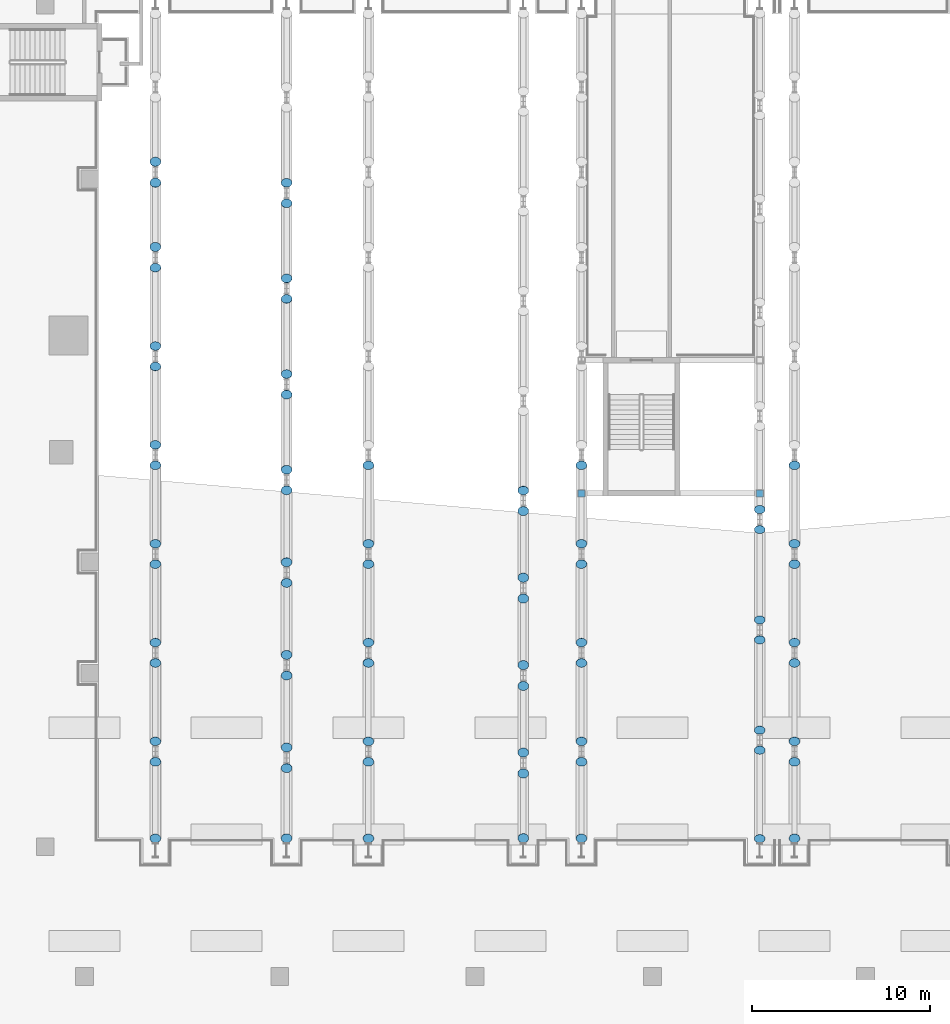
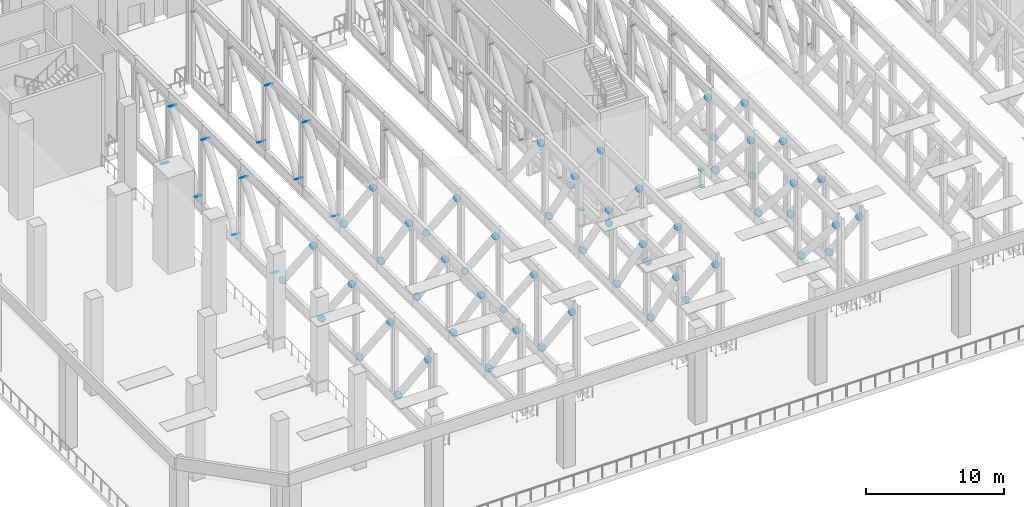
# One storey, part 17 of 33: 74 discrete accessories.
"""IFC4 building model written with IfcOpenShell, lengths in metres."""

from ifc_helpers import new_model, si_unit, direction, frame, origin, origin_2d, place, context, subcontext, project, spatial, rectangle, circle, extrude, material, material_profile, profile_set, type_object, element, save


model = new_model("IFC4")

# Units and contexts
model_context = context("Model", 3, precision=1e-05, world=origin(), true_north=direction((0.0, 1.0)))
body_context = subcontext(model_context, "Body", "Model", "MODEL_VIEW")
ifc_project = project(units=[si_unit("LENGTHUNIT", "METRE"), si_unit("AREAUNIT", "SQUARE_METRE"), si_unit("VOLUMEUNIT", "CUBIC_METRE"), si_unit("PLANEANGLEUNIT", "RADIAN"), si_unit("MASSUNIT", "GRAM", prefix="KILO")], contexts=[model_context])

# Site, building, storey
site_placement = place(None, origin())
site = spatial("IfcSite", under=ifc_project, at=site_placement, CompositionType="ELEMENT")
building_placement = place(site_placement, origin())
building = spatial("IfcBuilding", under=site, at=building_placement, Name="Wharfspan Tower", CompositionType="ELEMENT")
storey_placement = place(building_placement, frame((0.0, 0.0, 33.0)))
storey = spatial("IfcBuildingStorey", under=building, at=storey_placement, Name="L05", CompositionType="ELEMENT", Elevation=33.0)

# Discrete accessories
ifc_material = material(Name="Steel S460NH", Category="steel")
ifc_material_profile_1 = material_profile(ifc_material, circle(Radius=0.304932, at=origin_2d()))
ifc_profile_set_1 = profile_set([ifc_material_profile_1], Name="Steel S460NH")
discrete_accessory_type_1 = type_object("IfcDiscreteAccessoryType", Name="End plate CHS 610x30", PredefinedType="BRACKET", material=ifc_profile_set_1)
for number, where, z_axis, x_axis, name in (
    (1, (12.0, -21.229248, 6.92334), (0.0, 0.588172, -0.808736), (-1.0, 0.0, 0.0), "End plate CHS 610x30"),
    (2, (12.0, -16.912598, 1.184814), (0.0, 0.588172, -0.808736), (-1.0, 0.0, 0.0), "End plate CHS 610x30"),
    (3, (12.0, -15.76123, 6.92041), (0.0, 0.615644, -0.788024), (-1.0, 0.0, 0.0), "End plate CHS 610x30"),
    (4, (12.0, -11.344727, 1.1875), (0.0, 0.603858, -0.797092), (-1.0, 0.0, 0.0), "End plate CHS 610x30"),
    (5, (12.0, -10.195312, 6.92041), (0.0, 0.615644, -0.788024), (-1.0, 0.0, 0.0), "End plate CHS 610x30"),
    (6, (12.0, -5.777832, 1.1875), (0.0, 0.603858, -0.797092), (-1.0, 0.0, 0.0), "End plate CHS 610x30"),
    (7, (12.0, -4.628418, 6.92041), (0.0, 0.615644, -0.788024), (-1.0, 0.0, 0.0), "End plate CHS 610x30"),
    (8, (12.0, -0.210693, 1.1875), (0.0, 0.603858, -0.797092), (-1.0, 0.0, 0.0), "End plate CHS 610x30"),
    (9, (12.0, 5.361328, 6.92041), (0.0, -0.615644, -0.788024), (1.0, 0.0, 0.0), "End plate CHS 610x30"),
    (10, (12.0, 0.944824, 1.1875), (0.0, -0.603858, -0.797092), (1.0, 0.0, 0.0), "End plate CHS 610x30"),
    (11, (12.0, 10.928223, 6.92041), (0.0, -0.615644, -0.788024), (1.0, 0.0, 0.0), "End plate CHS 610x30"),
    (12, (12.0, 6.510742, 1.1875), (0.0, -0.603858, -0.797092), (1.0, 0.0, 0.0), "End plate CHS 610x30"),
    (13, (12.0, 15.712891, 6.944336), (0.0, -0.532172, -0.846637), (1.0, 0.0, 0.0), "End plate CHS 610x30"),
    (14, (12.0, 12.092529, 1.164307), (0.0, -0.532172, -0.846637), (1.0, 0.0, 0.0), "End plate CHS 610x30"),
    (15, (12.0, 16.892578, 1.164307), (0.0, -0.532172, -0.846637), (1.0, 0.0, 0.0), "End plate CHS 610x30"),
    (16, (19.391113, -21.222168, 6.933838), (0.0, 0.560309, -0.828283), (-1.0, 0.0, 0.0), "End plate CHS 610x30"),
):
    element("IfcDiscreteAccessory", number, at=place(storey_placement, frame(where, z_axis=z_axis, x_axis=x_axis)), inside=storey, type_object=discrete_accessory_type_1, Name=name, PredefinedType="BRACKET", context=body_context, shape_type="SweptSolid", body=[
        extrude(circle(Radius=0.304932, at=origin_2d()), origin(), (0.0, 0.0, 1.0), 0.01001),
    ])
discrete_accessory_1_placement = place(storey_placement, frame((19.391113, -17.269287, 1.174316), z_axis=(0.0, 0.571793, -0.820398), x_axis=(-1.0, 0.0, 0.0)))
element("IfcDiscreteAccessory", 17, at=discrete_accessory_1_placement, inside=storey, type_object=discrete_accessory_type_1, Name="End plate CHS 610x30", PredefinedType="BRACKET", context=body_context, shape_type="SweptSolid", body=[
    extrude(circle(Radius=0.304932, at=origin_2d()), origin(), (0.0, 0.0, 1.0), 0.009766),
])
discrete_accessory_2_placement = place(storey_placement, frame((19.391113, -16.104248, 6.930908), z_axis=(0.0, 0.576683, -0.816968), x_axis=(-1.0, 0.0, 0.0)))
element("IfcDiscreteAccessory", 18, at=discrete_accessory_2_placement, inside=storey, type_object=discrete_accessory_type_1, Name="End plate CHS 610x30", PredefinedType="BRACKET", context=body_context, shape_type="SweptSolid", body=[
    extrude(circle(Radius=0.304932, at=origin_2d()), origin(), (0.0, 0.0, 1.0), 0.010254),
])
for number, where, z_axis, x_axis, name in (
    (19, (19.391113, -12.051514, 1.177246), (0.0, 0.588172, -0.808736), (-1.0, 0.0, 0.0), "End plate CHS 610x30"),
    (20, (19.391113, -10.888184, 6.930908), (0.0, 0.560309, -0.828283), (-1.0, 0.0, 0.0), "End plate CHS 610x30"),
):
    element("IfcDiscreteAccessory", number, at=place(storey_placement, frame(where, z_axis=z_axis, x_axis=x_axis)), inside=storey, type_object=discrete_accessory_type_1, Name=name, PredefinedType="BRACKET", context=body_context, shape_type="SweptSolid", body=[
        extrude(circle(Radius=0.304932, at=origin_2d()), origin(), (0.0, 0.0, 1.0), 0.01001),
    ])
discrete_accessory_3_placement = place(storey_placement, frame((19.391113, -6.834473, 1.177246), z_axis=(0.0, 0.571793, -0.820398), x_axis=(-1.0, 0.0, 0.0)))
element("IfcDiscreteAccessory", 21, at=discrete_accessory_3_placement, inside=storey, type_object=discrete_accessory_type_1, Name="End plate CHS 610x30", PredefinedType="BRACKET", context=body_context, shape_type="SweptSolid", body=[
    extrude(circle(Radius=0.304932, at=origin_2d()), origin(), (0.0, 0.0, 1.0), 0.009766),
])
discrete_accessory_4_placement = place(storey_placement, frame((19.391113, -5.671143, 6.930908), z_axis=(0.0, 0.560309, -0.828283), x_axis=(-1.0, 0.0, 0.0)))
element("IfcDiscreteAccessory", 22, at=discrete_accessory_4_placement, inside=storey, type_object=discrete_accessory_type_1, Name="End plate CHS 610x30", PredefinedType="BRACKET", context=body_context, shape_type="SweptSolid", body=[
    extrude(circle(Radius=0.304932, at=origin_2d()), origin(), (0.0, 0.0, 1.0), 0.01001),
])
discrete_accessory_5_placement = place(storey_placement, frame((19.391113, -1.618408, 1.177246), z_axis=(0.0, 0.571793, -0.820398), x_axis=(-1.0, 0.0, 0.0)))
element("IfcDiscreteAccessory", 23, at=discrete_accessory_5_placement, inside=storey, type_object=discrete_accessory_type_1, Name="End plate CHS 610x30", PredefinedType="BRACKET", context=body_context, shape_type="SweptSolid", body=[
    extrude(circle(Radius=0.304932, at=origin_2d()), origin(), (0.0, 0.0, 1.0), 0.009766),
])
for number, where, z_axis, x_axis, name in (
    (24, (19.391113, -0.45874, 6.925781), (0.0, 0.588172, -0.808736), (-1.0, 0.0, 0.0), "End plate CHS 610x30"),
    (25, (19.391113, 3.771729, 1.182373), (0.0, 0.588172, -0.808736), (-1.0, 0.0, 0.0), "End plate CHS 610x30"),
    (26, (19.391113, 9.164795, 6.925781), (0.0, -0.603858, -0.797092), (1.0, 0.0, 0.0), "End plate CHS 610x30"),
    (27, (19.391113, 4.934326, 1.182373), (0.0, -0.603858, -0.797092), (1.0, 0.0, 0.0), "End plate CHS 610x30"),
    (28, (19.391113, 14.550781, 6.925781), (0.0, -0.603858, -0.797092), (1.0, 0.0, 0.0), "End plate CHS 610x30"),
    (29, (19.391113, 10.321289, 1.182373), (0.0, -0.588172, -0.808736), (1.0, 0.0, 0.0), "End plate CHS 610x30"),
    (30, (19.391113, 15.707275, 1.182373), (0.0, -0.588172, -0.808736), (1.0, 0.0, 0.0), "End plate CHS 610x30"),
    (31, (24.0, -21.229248, 6.92334), (0.0, 0.588172, -0.808736), (-1.0, 0.0, 0.0), "End plate CHS 610x30"),
    (32, (24.0, -16.912598, 1.184814), (0.0, 0.588172, -0.808736), (-1.0, 0.0, 0.0), "End plate CHS 610x30"),
    (33, (24.0, -15.76123, 6.92041), (0.0, 0.615644, -0.788024), (-1.0, 0.0, 0.0), "End plate CHS 610x30"),
    (34, (24.0, -11.344727, 1.1875), (0.0, 0.603858, -0.797092), (-1.0, 0.0, 0.0), "End plate CHS 610x30"),
    (35, (24.0, -10.195312, 6.92041), (0.0, 0.615644, -0.788024), (-1.0, 0.0, 0.0), "End plate CHS 610x30"),
    (36, (24.0, -5.777832, 1.1875), (0.0, 0.603858, -0.797092), (-1.0, 0.0, 0.0), "End plate CHS 610x30"),
    (37, (24.0, -4.628418, 6.92041), (0.0, 0.615644, -0.788024), (-1.0, 0.0, 0.0), "End plate CHS 610x30"),
    (38, (24.0, -0.210693, 1.1875), (0.0, 0.603858, -0.797092), (-1.0, 0.0, 0.0), "End plate CHS 610x30"),
    (39, (32.724121, -21.216309, 6.943359), (0.0, 0.532172, -0.846637), (-1.0, 0.0, 0.0), "End plate CHS 610x30"),
):
    element("IfcDiscreteAccessory", number, at=place(storey_placement, frame(where, z_axis=z_axis, x_axis=x_axis)), inside=storey, type_object=discrete_accessory_type_1, Name=name, PredefinedType="BRACKET", context=body_context, shape_type="SweptSolid", body=[
        extrude(circle(Radius=0.304932, at=origin_2d()), origin(), (0.0, 0.0, 1.0), 0.01001),
    ])
discrete_accessory_6_placement = place(storey_placement, frame((32.724121, -17.566895, 1.165039), z_axis=(0.0, 0.525493, -0.850798), x_axis=(-1.0, 0.0, 0.0)))
element("IfcDiscreteAccessory", 40, at=discrete_accessory_6_placement, inside=storey, type_object=discrete_accessory_type_1, Name="End plate CHS 610x30", PredefinedType="BRACKET", context=body_context, shape_type="SweptSolid", body=[
    extrude(circle(Radius=0.304932, at=origin_2d()), origin(), (0.0, 0.0, 1.0), 0.009766),
])
discrete_accessory_7_placement = place(storey_placement, frame((32.724121, -16.390381, 6.940186), z_axis=(0.0, 0.549178, -0.835705), x_axis=(-1.0, 0.0, 0.0)))
element("IfcDiscreteAccessory", 41, at=discrete_accessory_7_placement, inside=storey, type_object=discrete_accessory_type_1, Name="End plate CHS 610x30", PredefinedType="BRACKET", context=body_context, shape_type="SweptSolid", body=[
    extrude(circle(Radius=0.304932, at=origin_2d()), origin(), (0.0, 0.0, 1.0), 0.010254),
])
discrete_accessory_8_placement = place(storey_placement, frame((32.724121, -12.640137, 1.168213), z_axis=(0.0, 0.543251, -0.83957), x_axis=(-1.0, 0.0, 0.0)))
element("IfcDiscreteAccessory", 42, at=discrete_accessory_8_placement, inside=storey, type_object=discrete_accessory_type_1, Name="End plate CHS 610x30", PredefinedType="BRACKET", context=body_context, shape_type="SweptSolid", body=[
    extrude(circle(Radius=0.304932, at=origin_2d()), origin(), (0.0, 0.0, 1.0), 0.009766),
])
discrete_accessory_9_placement = place(storey_placement, frame((32.724121, -11.465332, 6.940186), z_axis=(0.0, 0.532172, -0.846637), x_axis=(-1.0, 0.0, 0.0)))
element("IfcDiscreteAccessory", 43, at=discrete_accessory_9_placement, inside=storey, type_object=discrete_accessory_type_1, Name="End plate CHS 610x30", PredefinedType="BRACKET", context=body_context, shape_type="SweptSolid", body=[
    extrude(circle(Radius=0.304932, at=origin_2d()), origin(), (0.0, 0.0, 1.0), 0.01001),
])
discrete_accessory_10_placement = place(storey_placement, frame((32.724121, -7.715088, 1.168213), z_axis=(0.0, 0.543251, -0.83957), x_axis=(-1.0, 0.0, 0.0)))
element("IfcDiscreteAccessory", 44, at=discrete_accessory_10_placement, inside=storey, type_object=discrete_accessory_type_1, Name="End plate CHS 610x30", PredefinedType="BRACKET", context=body_context, shape_type="SweptSolid", body=[
    extrude(circle(Radius=0.304932, at=origin_2d()), origin(), (0.0, 0.0, 1.0), 0.009766),
])
discrete_accessory_11_placement = place(storey_placement, frame((32.724121, -6.540283, 6.940186), z_axis=(0.0, 0.532172, -0.846637), x_axis=(-1.0, 0.0, 0.0)))
element("IfcDiscreteAccessory", 45, at=discrete_accessory_11_placement, inside=storey, type_object=discrete_accessory_type_1, Name="End plate CHS 610x30", PredefinedType="BRACKET", context=body_context, shape_type="SweptSolid", body=[
    extrude(circle(Radius=0.304932, at=origin_2d()), origin(), (0.0, 0.0, 1.0), 0.01001),
])
discrete_accessory_12_placement = place(storey_placement, frame((32.724121, -2.790039, 1.168213), z_axis=(0.0, 0.543251, -0.83957), x_axis=(-1.0, 0.0, 0.0)))
element("IfcDiscreteAccessory", 46, at=discrete_accessory_12_placement, inside=storey, type_object=discrete_accessory_type_1, Name="End plate CHS 610x30", PredefinedType="BRACKET", context=body_context, shape_type="SweptSolid", body=[
    extrude(circle(Radius=0.304932, at=origin_2d()), origin(), (0.0, 0.0, 1.0), 0.009766),
])
for number, where, z_axis, x_axis, name in (
    (47, (32.724121, -1.629395, 6.918945), (0.0, 0.615644, -0.788024), (-1.0, 0.0, 0.0), "End plate CHS 610x30"),
    (48, (36.0, -21.229248, 6.92334), (0.0, 0.588172, -0.808736), (-1.0, 0.0, 0.0), "End plate CHS 610x30"),
    (49, (36.0, -16.912598, 1.184814), (0.0, 0.588172, -0.808736), (-1.0, 0.0, 0.0), "End plate CHS 610x30"),
    (50, (36.0, -15.76123, 6.92041), (0.0, 0.615644, -0.788024), (-1.0, 0.0, 0.0), "End plate CHS 610x30"),
    (51, (36.0, -11.344727, 1.1875), (0.0, 0.603858, -0.797092), (-1.0, 0.0, 0.0), "End plate CHS 610x30"),
    (52, (36.0, -10.195312, 6.92041), (0.0, 0.615644, -0.788024), (-1.0, 0.0, 0.0), "End plate CHS 610x30"),
    (53, (36.0, -5.777832, 1.1875), (0.0, 0.603858, -0.797092), (-1.0, 0.0, 0.0), "End plate CHS 610x30"),
    (54, (36.0, -4.628418, 6.92041), (0.0, 0.615644, -0.788024), (-1.0, 0.0, 0.0), "End plate CHS 610x30"),
    (55, (36.0, -0.210693, 1.1875), (0.0, 0.603858, -0.797092), (-1.0, 0.0, 0.0), "End plate CHS 610x30"),
    (56, (46.041992, -21.242188, 6.906006), (0.0, 0.656781, -0.754082), (-1.0, 0.0, 0.0), "End plate CHS 610x30"),
    (57, (46.041992, -16.256592, 1.20166), (0.0, 0.656781, -0.754082), (-1.0, 0.0, 0.0), "End plate CHS 610x30"),
):
    element("IfcDiscreteAccessory", number, at=place(storey_placement, frame(where, z_axis=z_axis, x_axis=x_axis)), inside=storey, type_object=discrete_accessory_type_1, Name=name, PredefinedType="BRACKET", context=body_context, shape_type="SweptSolid", body=[
        extrude(circle(Radius=0.304932, at=origin_2d()), origin(), (0.0, 0.0, 1.0), 0.01001),
    ])
discrete_accessory_13_placement = place(storey_placement, frame((46.041992, -15.129883, 6.903564), z_axis=(0.0, 0.668965, -0.743294), x_axis=(-1.0, 0.0, 0.0)))
element("IfcDiscreteAccessory", 58, at=discrete_accessory_13_placement, inside=storey, type_object=discrete_accessory_type_1, Name="End plate CHS 610x30", PredefinedType="BRACKET", context=body_context, shape_type="SweptSolid", body=[
    extrude(circle(Radius=0.304932, at=origin_2d()), origin(), (0.0, 0.0, 1.0), 0.009766),
])
discrete_accessory_14_placement = place(storey_placement, frame((46.041992, -10.044678, 1.203857), z_axis=(0.0, 0.656781, -0.754082), x_axis=(-1.0, 0.0, 0.0)))
element("IfcDiscreteAccessory", 59, at=discrete_accessory_14_placement, inside=storey, type_object=discrete_accessory_type_1, Name="End plate CHS 610x30", PredefinedType="BRACKET", context=body_context, shape_type="SweptSolid", body=[
    extrude(circle(Radius=0.304932, at=origin_2d()), origin(), (0.0, 0.0, 1.0), 0.01001),
])
discrete_accessory_15_placement = place(storey_placement, frame((46.041992, -8.919922, 6.903564), z_axis=(0.0, 0.668965, -0.743294), x_axis=(-1.0, 0.0, 0.0)))
element("IfcDiscreteAccessory", 60, at=discrete_accessory_15_placement, inside=storey, type_object=discrete_accessory_type_1, Name="End plate CHS 610x30", PredefinedType="BRACKET", context=body_context, shape_type="SweptSolid", body=[
    extrude(circle(Radius=0.304932, at=origin_2d()), origin(), (0.0, 0.0, 1.0), 0.009766),
])
discrete_accessory_16_placement = place(storey_placement, frame((46.041992, -3.83374, 1.203857), z_axis=(0.0, 0.670286, -0.742103), x_axis=(-1.0, 0.0, 0.0)))
element("IfcDiscreteAccessory", 61, at=discrete_accessory_16_placement, inside=storey, type_object=discrete_accessory_type_1, Name="End plate CHS 610x30", PredefinedType="BRACKET", context=body_context, shape_type="SweptSolid", body=[
    extrude(circle(Radius=0.304932, at=origin_2d()), origin(), (0.0, 0.0, 1.0), 0.010254),
])
discrete_accessory_17_placement = place(storey_placement, frame((46.041992, -2.70166, 6.913086), z_axis=(0.0, 0.642612, -0.766192), x_axis=(-1.0, 0.0, 0.0)))
element("IfcDiscreteAccessory", 62, at=discrete_accessory_17_placement, inside=storey, type_object=discrete_accessory_type_1, Name="End plate CHS 610x30", PredefinedType="BRACKET", context=body_context, shape_type="SweptSolid", body=[
    extrude(circle(Radius=0.304932, at=origin_2d()), origin(), (0.0, 0.0, 1.0), 0.009766),
])
for number, where, z_axis, x_axis, name in (
    (63, (48.0, -21.229248, 6.92334), (0.0, 0.588172, -0.808736), (-1.0, 0.0, 0.0), "End plate CHS 610x30"),
    (64, (48.0, -16.912598, 1.184814), (0.0, 0.588172, -0.808736), (-1.0, 0.0, 0.0), "End plate CHS 610x30"),
    (65, (48.0, -15.76123, 6.92041), (0.0, 0.615644, -0.788024), (-1.0, 0.0, 0.0), "End plate CHS 610x30"),
    (66, (48.0, -11.344727, 1.1875), (0.0, 0.603858, -0.797092), (-1.0, 0.0, 0.0), "End plate CHS 610x30"),
    (67, (48.0, -10.195312, 6.92041), (0.0, 0.615644, -0.788024), (-1.0, 0.0, 0.0), "End plate CHS 610x30"),
    (68, (48.0, -5.777832, 1.1875), (0.0, 0.603858, -0.797092), (-1.0, 0.0, 0.0), "End plate CHS 610x30"),
    (69, (48.0, -4.628418, 6.92041), (0.0, 0.615644, -0.788024), (-1.0, 0.0, 0.0), "End plate CHS 610x30"),
    (70, (48.0, -0.210693, 1.1875), (0.0, 0.603858, -0.797092), (-1.0, 0.0, 0.0), "End plate CHS 610x30"),
):
    element("IfcDiscreteAccessory", number, at=place(storey_placement, frame(where, z_axis=z_axis, x_axis=x_axis)), inside=storey, type_object=discrete_accessory_type_1, Name=name, PredefinedType="BRACKET", context=body_context, shape_type="SweptSolid", body=[
        extrude(circle(Radius=0.304932, at=origin_2d()), origin(), (0.0, 0.0, 1.0), 0.01001),
    ])
ifc_material_profile_2 = material_profile(ifc_material, rectangle(XDim=0.399902, YDim=0.399902, at=origin_2d()))
ifc_profile_set_2 = profile_set([ifc_material_profile_2], Name="Steel S460NH")
discrete_accessory_type_2 = type_object("IfcDiscreteAccessoryType", Name="End plate SHS 400x400x20", PredefinedType="BRACKET", material=ifc_profile_set_2)
for number, where, z_axis, x_axis, name in (
    (71, (36.0, -1.789307, -1.468018), (0.0, 0.0, 1.0), (1.0, 0.0, 0.0), "End plate SHS 400x400x20"),
    (72, (36.0, -1.789307, 0.0), (0.0, 0.0, 1.0), (1.0, 0.0, 0.0), "End plate SHS 400x400x20"),
    (73, (46.041992, -1.789307, -1.468018), (0.0, 0.0, 1.0), (1.0, 0.0, 0.0), "End plate SHS 400x400x20"),
    (74, (46.041992, -1.789307, 0.0), (0.0, 0.0, 1.0), (1.0, 0.0, 0.0), "End plate SHS 400x400x20"),
):
    element("IfcDiscreteAccessory", number, at=place(storey_placement, frame(where, z_axis=z_axis, x_axis=x_axis)), inside=storey, type_object=discrete_accessory_type_2, Name=name, PredefinedType="BRACKET", context=body_context, shape_type="SweptSolid", body=[
        extrude(rectangle(XDim=0.399902, YDim=0.399902, at=origin_2d()), origin(), (0.0, 0.0, 1.0), 0.01001),
    ])

save(model, "model.ifc")
